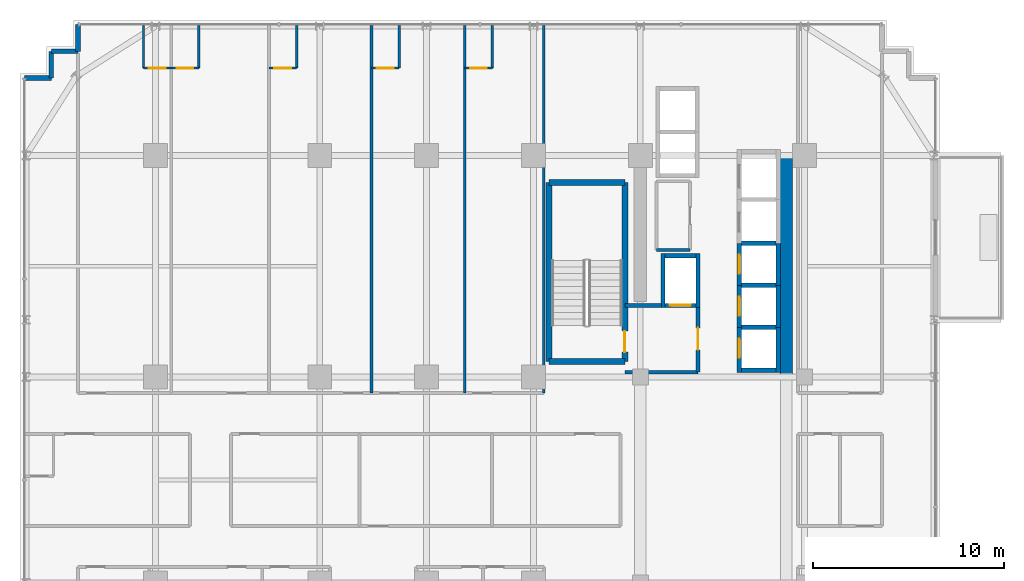
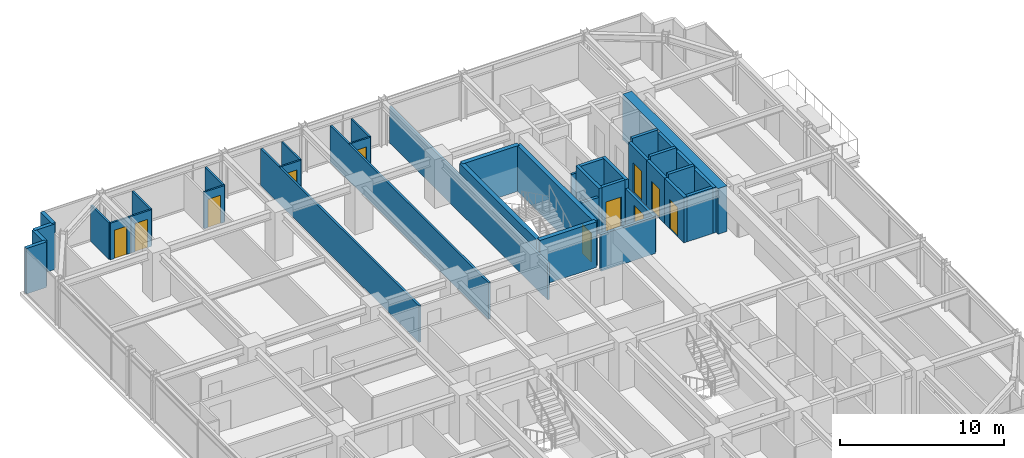
# One storey, part 28 of 32: 40 walls, 11 doors, 11 openings.
"""IFC4 building model written with IfcOpenShell, lengths in metres."""

from ifc_helpers import new_model, si_unit, direction, frame, frame_2d, origin, place, context, subcontext, project, spatial, rectangle, extrude, source, transform, mapped, material, layer, layer_set, type_object, element, fill, save


model = new_model("IFC4")

# Units and contexts
model_context = context("Model", 3, precision=1e-05, world=origin(), true_north=direction((0.0, 1.0)))
body_context = subcontext(model_context, "Body", "Model", "MODEL_VIEW")
ifc_project = project(units=[si_unit("LENGTHUNIT", "METRE"), si_unit("AREAUNIT", "SQUARE_METRE"), si_unit("VOLUMEUNIT", "CUBIC_METRE"), si_unit("PLANEANGLEUNIT", "RADIAN"), si_unit("MASSUNIT", "GRAM", prefix="KILO")], contexts=[model_context])

# Site, building, storey
site_placement = place(None, origin())
site = spatial("IfcSite", under=ifc_project, at=site_placement, CompositionType="ELEMENT")
building_placement = place(site_placement, origin())
building = spatial("IfcBuilding", under=site, at=building_placement, Name="Nahalor Promenade Grand Hotel", CompositionType="ELEMENT")
storey_placement = place(building_placement, frame((0.0, 0.0, 102.89990234375)))
storey = spatial("IfcBuildingStorey", under=building, at=storey_placement, Name="L25", CompositionType="ELEMENT", Elevation=102.89990234375)

# Walls
ifc_material_1 = material(Name="Concrete B-60 (C50/60)", Category="concrete")
ifc_layer_1 = layer(ifc_material_1, 0.64990234375)
ifc_layer_set_1 = layer_set([ifc_layer_1], Name="Concrete B-60 (C50/60)")
wall_type_1 = type_object("IfcWallType", Name="Wall-CoreShear-650", PredefinedType="SHEAR", material=ifc_layer_set_1)
shared_shape_1 = source(origin(), body_context, "Body", "SweptSolid", [
    extrude(rectangle(XDim=11.60009765625, YDim=0.64990234375, at=frame_2d((5.800048828125, 0.0))), origin(), (0.0, 0.0, 1.0), 3.380126953125),
])
wall_1_placement = place(storey_placement, frame((16.050048828125, 5.39990234375, 0.0), z_axis=(0.0, 0.0, 1.0), x_axis=(0.0, 1.0, 0.0)))
element("IfcWall", 1, at=wall_1_placement, inside=storey, type_object=wall_type_1, Name="CWALL-L25-NE", PredefinedType="SHEAR", context=body_context, shape_type="MappedRepresentation", body=[
    mapped(shared_shape_1, transform((0.0, 0.0, 0.0), scale=1.0)),
])
ifc_material_2 = material(Name="Concrete B-50 (C40/50)", Category="concrete")
ifc_layer_2 = layer(ifc_material_2, 0.300048828125)
ifc_layer_set_2 = layer_set([ifc_layer_2], Name="Concrete B-50 (C40/50)")
wall_type_2 = type_object("IfcWallType", Name="Wall-ShaftShear-300", PredefinedType="SHEAR", material=ifc_layer_set_2)
shared_shape_2 = source(origin(), body_context, "Body", "SweptSolid", [
    extrude(rectangle(XDim=3.97998046875, YDim=0.300048828125, at=frame_2d((1.989990234375, 0.0))), origin(), (0.0, 0.0, 1.0), 3.380126953125),
])
for number, where, z_axis, x_axis, name in (
    (2, (3.610107421875, 6.2099609375, 0.0), (0.0, 0.0, 1.0), (1.0, 0.0, 0.0), "L25 Exit Stair ST1 Shaft Wall S"),
    (3, (3.610107421875, 15.590087890625, 0.0), (0.0, 0.0, 1.0), (1.0, 0.0, 0.0), "L25 Exit Stair ST1 Shaft Wall N"),
):
    element("IfcWall", number, at=place(storey_placement, frame(where, z_axis=z_axis, x_axis=x_axis)), inside=storey, type_object=wall_type_2, Name=name, PredefinedType="SHEAR", context=body_context, shape_type="MappedRepresentation", body=[
        mapped(shared_shape_2, transform((0.0, 0.0, 0.0), scale=1.0)),
    ])
shared_shape_3 = source(origin(), body_context, "Body", "SweptSolid", [
    extrude(rectangle(XDim=9.380126953125, YDim=0.300048828125, at=frame_2d((4.68994140625, 0.0))), origin(), (0.0, 0.0, 1.0), 3.380126953125),
])
wall_2_placement = place(storey_placement, frame((3.610107421875, 6.2099609375, 0.0), z_axis=(0.0, 0.0, 1.0), x_axis=(0.0, 1.0, 0.0)))
element("IfcWall", 4, at=wall_2_placement, inside=storey, type_object=wall_type_2, Name="L25 Exit Stair ST1 Shaft Wall W", PredefinedType="SHEAR", context=body_context, shape_type="MappedRepresentation", body=[
    mapped(shared_shape_3, transform((0.0, 0.0, 0.0), scale=1.0)),
])

# Wall, opening, door
wall_3_placement = place(storey_placement, frame((7.590087890625, 6.2099609375, 0.0), z_axis=(0.0, 0.0, 1.0), x_axis=(0.0, 1.0, 0.0)))
wall_3 = element("IfcWall", 5, at=wall_3_placement, inside=storey, type_object=wall_type_2, Name="L25 Exit Stair ST1 Shaft Wall E", PredefinedType="SHEAR", context=body_context, shape_type="MappedRepresentation", body=[
    mapped(shared_shape_3, transform((0.0, 0.0, 0.0), scale=1.0)),
])
opening_1_placement = place(wall_3_placement, frame((0.489990234375, 0.0, 0.0)))
opening_1 = element("IfcOpeningElement", 6, at=opening_1_placement, cuts=wall_3, Name="Opening D-ST1", PredefinedType="OPENING", context=body_context, shape_type="SweptSolid", body=[
    extrude(rectangle(XDim=1.10009765625, YDim=2.14990234375, at=frame_2d((0.550048828125, 1.074951171875))), frame((0.0, 0.159912109375, 0.0), z_axis=(0.0, -1.0, 0.0), x_axis=(1.0, 0.0, 0.0)), (0.0, 0.0, 1.0), 0.320068359375),
])
ifc_material_3 = material(Name="Steel S355JR", Category="steel")
door_type_1 = type_object("IfcDoorType", Name="Door-StairFire-1100", OperationType="NOTDEFINED", PredefinedType="DOOR", material=ifc_material_3)
shared_shape_4 = source(origin(), body_context, "Body", "SweptSolid", [
    extrude(rectangle(XDim=1.10009765625, YDim=2.14990234375, at=frame_2d((0.550048828125, 1.074951171875))), frame((0.0, 0.02490234375, 0.0), z_axis=(0.0, -1.0, 0.0), x_axis=(1.0, 0.0, 0.0)), (0.0, 0.0, 1.0), 0.050048828125),
])
door_1_placement = place(opening_1_placement, origin())
door_1 = element("IfcDoor", 7, at=door_1_placement, inside=storey, type_object=door_type_1, Name="DR-STAIR-ST1-L25", OperationType="SINGLE_SWING_RIGHT", OverallHeight=2.14990234375, OverallWidth=1.10009765625, PredefinedType="DOOR", context=body_context, shape_type="MappedRepresentation", body=[
    mapped(shared_shape_4, transform((0.0, 0.0, 0.0), scale=1.0)),
])
fill(opening_1, door_1)

# Walls
ifc_layer_3 = layer(ifc_material_2, 0.219970703125)
ifc_layer_set_3 = layer_set([ifc_layer_3], Name="Concrete B-50 (C40/50)")
wall_type_3 = type_object("IfcWallType", Name="Wall-LiftShaft-220", PredefinedType="SHEAR", material=ifc_layer_set_3)
shared_shape_5 = source(origin(), body_context, "Body", "SweptSolid", [
    extrude(rectangle(XDim=1.820068359375, YDim=0.219970703125, at=frame_2d((0.91015625, 0.0))), origin(), (0.0, 0.0, 1.0), 3.650146484375),
])
for number, where, z_axis, x_axis, name in (
    (8, (13.68994140625, 8.0, 0.0), (0.0, 0.0, 1.0), (1.0, 0.0, 0.0), "L25 Lift PL1 Hoistway Wall N"),
    (9, (13.68994140625, 10.199951171875, 0.0), (0.0, 0.0, 1.0), (1.0, 0.0, 0.0), "L25 Lift PL2 Hoistway Wall N"),
    (10, (13.68994140625, 12.39990234375, 0.0), (0.0, 0.0, 1.0), (1.0, 0.0, 0.0), "L25 Lift PL3 Hoistway Wall N"),
):
    element("IfcWall", number, at=place(storey_placement, frame(where, z_axis=z_axis, x_axis=x_axis)), inside=storey, type_object=wall_type_3, Name=name, PredefinedType="SHEAR", context=body_context, shape_type="MappedRepresentation", body=[
        mapped(shared_shape_5, transform((0.0, 0.0, 0.0), scale=1.0)),
    ])

# Wall, opening, door
shared_shape_6 = source(origin(), body_context, "Body", "SweptSolid", [
    extrude(rectangle(XDim=2.360107421875, YDim=0.219970703125, at=frame_2d((1.18017578125, 0.0))), origin(), (0.0, 0.0, 1.0), 3.380126953125),
])
wall_4_placement = place(storey_placement, frame((13.580078125, 5.639892578125, 0.0), z_axis=(0.0, 0.0, 1.0), x_axis=(0.0, 1.0, 0.0)))
wall_4 = element("IfcWall", 11, at=wall_4_placement, inside=storey, type_object=wall_type_3, Name="L25 Lift PL1 Hoistway Wall W", PredefinedType="SHEAR", context=body_context, shape_type="MappedRepresentation", body=[
    mapped(shared_shape_6, transform((0.0, 0.0, 0.0), scale=1.0)),
])
opening_2_placement = place(wall_4_placement, frame((0.760009765625, 0.0, 0.0)))
opening_2 = element("IfcOpeningElement", 12, at=opening_2_placement, cuts=wall_4, Name="Opening LD-01", PredefinedType="OPENING", context=body_context, shape_type="SweptSolid", body=[
    extrude(rectangle(XDim=1.0, YDim=2.199951171875, at=frame_2d((0.5, 1.10009765625))), frame((0.0, 0.119873046875, 0.0), z_axis=(0.0, -1.0, 0.0), x_axis=(1.0, 0.0, 0.0)), (0.0, 0.0, 1.0), 0.239990234375),
])
door_type_2 = type_object("IfcDoorType", Name="Door-LiftLanding-1000", OperationType="DOUBLE_DOOR_SLIDING", PredefinedType="DOOR", material=ifc_material_3)
shared_shape_7 = source(origin(), body_context, "Body", "SweptSolid", [
    extrude(rectangle(XDim=1.0, YDim=2.199951171875, at=frame_2d((0.5, 1.10009765625))), frame((0.0, 0.02490234375, 0.0), z_axis=(0.0, -1.0, 0.0), x_axis=(1.0, 0.0, 0.0)), (0.0, 0.0, 1.0), 0.050048828125),
])
door_2_placement = place(opening_2_placement, origin())
door_2 = element("IfcDoor", 13, at=door_2_placement, inside=storey, type_object=door_type_2, Name="DR-LIFT-PL1-L25", OperationType="DOUBLE_DOOR_SLIDING", OverallHeight=2.199951171875, OverallWidth=1.0, PredefinedType="DOOR", context=body_context, shape_type="MappedRepresentation", body=[
    mapped(shared_shape_7, transform((0.0, 0.0, 0.0), scale=1.0)),
])
fill(opening_2, door_2)

# Walls
wall_5_placement = place(storey_placement, frame((15.6201171875, 5.639892578125, 0.0), z_axis=(0.0, 0.0, 1.0), x_axis=(0.0, 1.0, 0.0)))
element("IfcWall", 14, at=wall_5_placement, inside=storey, type_object=wall_type_3, Name="L25 Lift PL1 Hoistway Wall E", PredefinedType="SHEAR", context=body_context, shape_type="MappedRepresentation", body=[
    mapped(shared_shape_6, transform((0.0, 0.0, 0.0), scale=1.0)),
])
shared_shape_8 = source(origin(), body_context, "Body", "SweptSolid", [
    extrude(rectangle(XDim=1.820068359375, YDim=0.219970703125, at=frame_2d((0.91015625, 0.0))), origin(), (0.0, 0.0, 1.0), 3.380126953125),
])
wall_6_placement = place(storey_placement, frame((13.68994140625, 5.75, 0.0), z_axis=(0.0, 0.0, 1.0), x_axis=(1.0, 0.0, 0.0)))
element("IfcWall", 15, at=wall_6_placement, inside=storey, type_object=wall_type_3, Name="L25 Lift PL1 Hoistway Wall S", PredefinedType="SHEAR", context=body_context, shape_type="MappedRepresentation", body=[
    mapped(shared_shape_8, transform((0.0, 0.0, 0.0), scale=1.0)),
])

# Wall, opening, door
shared_shape_9 = source(origin(), body_context, "Body", "SweptSolid", [
    extrude(rectangle(XDim=2.199951171875, YDim=0.219970703125, at=frame_2d((1.10009765625, 0.0))), origin(), (0.0, 0.0, 1.0), 3.380126953125),
])
wall_7_placement = place(storey_placement, frame((13.580078125, 8.0, 0.0), z_axis=(0.0, 0.0, 1.0), x_axis=(0.0, 1.0, 0.0)))
wall_7 = element("IfcWall", 16, at=wall_7_placement, inside=storey, type_object=wall_type_3, Name="L25 Lift PL2 Hoistway Wall W", PredefinedType="SHEAR", context=body_context, shape_type="MappedRepresentation", body=[
    mapped(shared_shape_9, transform((0.0, 0.0, 0.0), scale=1.0)),
])
opening_3_placement = place(wall_7_placement, frame((0.60009765625, 0.0, 0.0)))
opening_3 = element("IfcOpeningElement", 17, at=opening_3_placement, cuts=wall_7, Name="Opening LD-01", PredefinedType="OPENING", context=body_context, shape_type="SweptSolid", body=[
    extrude(rectangle(XDim=1.0, YDim=2.199951171875, at=frame_2d((0.5, 1.10009765625))), frame((0.0, 0.119873046875, 0.0), z_axis=(0.0, -1.0, 0.0), x_axis=(1.0, 0.0, 0.0)), (0.0, 0.0, 1.0), 0.239990234375),
])
door_3_placement = place(opening_3_placement, origin())
door_3 = element("IfcDoor", 18, at=door_3_placement, inside=storey, type_object=door_type_2, Name="DR-LIFT-PL2-L25", OperationType="DOUBLE_DOOR_SLIDING", OverallHeight=2.199951171875, OverallWidth=1.0, PredefinedType="DOOR", context=body_context, shape_type="MappedRepresentation", body=[
    mapped(shared_shape_7, transform((0.0, 0.0, 0.0), scale=1.0)),
])
fill(opening_3, door_3)

# Wall
wall_8_placement = place(storey_placement, frame((15.6201171875, 8.0, 0.0), z_axis=(0.0, 0.0, 1.0), x_axis=(0.0, 1.0, 0.0)))
element("IfcWall", 19, at=wall_8_placement, inside=storey, type_object=wall_type_3, Name="L25 Lift PL2 Hoistway Wall E", PredefinedType="SHEAR", context=body_context, shape_type="MappedRepresentation", body=[
    mapped(shared_shape_9, transform((0.0, 0.0, 0.0), scale=1.0)),
])

# Wall, opening, door
wall_9_placement = place(storey_placement, frame((13.580078125, 10.199951171875, 0.0), z_axis=(0.0, 0.0, 1.0), x_axis=(0.0, 1.0, 0.0)))
wall_9 = element("IfcWall", 20, at=wall_9_placement, inside=storey, type_object=wall_type_3, Name="L25 Lift PL3 Hoistway Wall W", PredefinedType="SHEAR", context=body_context, shape_type="MappedRepresentation", body=[
    mapped(shared_shape_9, transform((0.0, 0.0, 0.0), scale=1.0)),
])
opening_4_placement = place(wall_9_placement, frame((0.60009765625, 0.0, 0.0)))
opening_4 = element("IfcOpeningElement", 21, at=opening_4_placement, cuts=wall_9, Name="Opening LD-01", PredefinedType="OPENING", context=body_context, shape_type="SweptSolid", body=[
    extrude(rectangle(XDim=1.0, YDim=2.199951171875, at=frame_2d((0.5, 1.10009765625))), frame((0.0, 0.119873046875, 0.0), z_axis=(0.0, -1.0, 0.0), x_axis=(1.0, 0.0, 0.0)), (0.0, 0.0, 1.0), 0.239990234375),
])
door_4_placement = place(opening_4_placement, origin())
door_4 = element("IfcDoor", 22, at=door_4_placement, inside=storey, type_object=door_type_2, Name="DR-LIFT-PL3-L25", OperationType="DOUBLE_DOOR_SLIDING", OverallHeight=2.199951171875, OverallWidth=1.0, PredefinedType="DOOR", context=body_context, shape_type="MappedRepresentation", body=[
    mapped(shared_shape_7, transform((0.0, 0.0, 0.0), scale=1.0)),
])
fill(opening_4, door_4)

# Walls
wall_10_placement = place(storey_placement, frame((15.6201171875, 10.199951171875, 0.0), z_axis=(0.0, 0.0, 1.0), x_axis=(0.0, 1.0, 0.0)))
element("IfcWall", 23, at=wall_10_placement, inside=storey, type_object=wall_type_3, Name="L25 Lift PL3 Hoistway Wall E", PredefinedType="SHEAR", context=body_context, shape_type="MappedRepresentation", body=[
    mapped(shared_shape_9, transform((0.0, 0.0, 0.0), scale=1.0)),
])
shared_shape_10 = source(origin(), body_context, "Body", "SweptSolid", [
    extrude(rectangle(XDim=2.820068359375, YDim=0.219970703125, at=frame_2d((1.41015625, 0.0))), origin(), (0.0, 0.0, 1.0), 3.380126953125),
])
for number, where, z_axis, x_axis, name in (
    (24, (9.580078125, 9.0400390625, 0.0), (0.0, 0.0, 1.0), (0.0, 1.0, 0.0), "L25 Lift FL1 Hoistway Wall W"),
    (25, (11.419921875, 9.0400390625, 0.0), (0.0, 0.0, 1.0), (0.0, 1.0, 0.0), "L25 Lift FL1 Hoistway Wall E"),
):
    element("IfcWall", number, at=place(storey_placement, frame(where, z_axis=z_axis, x_axis=x_axis)), inside=storey, type_object=wall_type_3, Name=name, PredefinedType="SHEAR", context=body_context, shape_type="MappedRepresentation", body=[
        mapped(shared_shape_10, transform((0.0, 0.0, 0.0), scale=1.0)),
    ])

# Wall, opening, door
shared_shape_11 = source(origin(), body_context, "Body", "SweptSolid", [
    extrude(rectangle(XDim=1.6201171875, YDim=0.219970703125, at=frame_2d((0.81005859375, 0.0))), origin(), (0.0, 0.0, 1.0), 3.380126953125),
])
wall_11_placement = place(storey_placement, frame((9.68994140625, 9.14990234375, 0.0), z_axis=(0.0, 0.0, 1.0), x_axis=(1.0, 0.0, 0.0)))
wall_11 = element("IfcWall", 26, at=wall_11_placement, inside=storey, type_object=wall_type_3, Name="L25 Lift FL1 Hoistway Wall S", PredefinedType="SHEAR", context=body_context, shape_type="MappedRepresentation", body=[
    mapped(shared_shape_11, transform((0.0, 0.0, 0.0), scale=1.0)),
])
opening_5_placement = place(wall_11_placement, frame((0.260009765625, 0.0, 0.0)))
opening_5 = element("IfcOpeningElement", 27, at=opening_5_placement, cuts=wall_11, Name="Opening LD-02", PredefinedType="OPENING", context=body_context, shape_type="SweptSolid", body=[
    extrude(rectangle(XDim=1.10009765625, YDim=2.199951171875, at=frame_2d((0.550048828125, 1.10009765625))), frame((0.0, 0.119873046875, 0.0), z_axis=(0.0, -1.0, 0.0), x_axis=(1.0, 0.0, 0.0)), (0.0, 0.0, 1.0), 0.239990234375),
])
door_type_3 = type_object("IfcDoorType", Name="Door-LiftFF-1100", OperationType="DOUBLE_DOOR_SLIDING", PredefinedType="DOOR", material=ifc_material_3)
shared_shape_12 = source(origin(), body_context, "Body", "SweptSolid", [
    extrude(rectangle(XDim=1.10009765625, YDim=2.199951171875, at=frame_2d((0.550048828125, 1.10009765625))), frame((0.0, 0.02490234375, 0.0), z_axis=(0.0, -1.0, 0.0), x_axis=(1.0, 0.0, 0.0)), (0.0, 0.0, 1.0), 0.050048828125),
])
door_5_placement = place(opening_5_placement, frame((1.10009765625, 0.0, 0.0), z_axis=(0.0, 0.0, 1.0), x_axis=(-1.0, 0.0, 0.0)))
door_5 = element("IfcDoor", 28, at=door_5_placement, inside=storey, type_object=door_type_3, Name="DR-LIFT-FL1-L25", OperationType="DOUBLE_DOOR_SLIDING", OverallHeight=2.199951171875, OverallWidth=1.10009765625, PredefinedType="DOOR", context=body_context, shape_type="MappedRepresentation", body=[
    mapped(shared_shape_12, transform((0.0, 0.0, 0.0), scale=1.0)),
])
fill(opening_5, door_5)

# Walls
wall_12_placement = place(storey_placement, frame((9.68994140625, 11.75, 0.0), z_axis=(0.0, 0.0, 1.0), x_axis=(1.0, 0.0, 0.0)))
element("IfcWall", 29, at=wall_12_placement, inside=storey, type_object=wall_type_3, Name="L25 Lift FL1 Hoistway Wall N", PredefinedType="SHEAR", context=body_context, shape_type="MappedRepresentation", body=[
    mapped(shared_shape_11, transform((0.0, 0.0, 0.0), scale=1.0)),
])
ifc_material_4 = material(Name="Concrete B-40 (C32/40)", Category="concrete")
ifc_layer_4 = layer(ifc_material_4, 0.25)
ifc_layer_set_4 = layer_set([ifc_layer_4], Name="Concrete B-40 (C32/40)")
wall_type_4 = type_object("IfcWallType", Name="Wall-BronzePier-250", PredefinedType="STANDARD", material=ifc_layer_set_4)
shared_shape_13 = source(origin(), body_context, "Body", "SweptSolid", [
    extrude(rectangle(XDim=1.400146484375, YDim=0.25, at=frame_2d((0.7001953125, 0.0))), origin(), (0.0, 0.0, 1.0), 3.380126953125),
])
for number, where, z_axis, x_axis, name in (
    (30, (-21.06005859375, 22.4599609375, 0.0), (0.0, 0.0, 1.0), (0.0, 1.0, 0.0), "W-L25-SR-09"),
    (31, (-23.860107421875, 21.06005859375, 0.0), (0.0, 0.0, 1.0), (1.0, 0.0, 0.0), "W-L25-SR-12"),
):
    element("IfcWall", number, at=place(storey_placement, frame(where, z_axis=z_axis, x_axis=x_axis)), inside=storey, type_object=wall_type_4, Name=name, PredefinedType="STANDARD", context=body_context, shape_type="MappedRepresentation", body=[
        mapped(shared_shape_13, transform((0.0, 0.0, 0.0), scale=1.0)),
    ])
shared_shape_14 = source(origin(), body_context, "Body", "SweptSolid", [
    extrude(rectangle(XDim=1.39990234375, YDim=0.25, at=frame_2d((0.699951171875, 0.0))), origin(), (0.0, 0.0, 1.0), 3.380126953125),
])
for number, where, z_axis, x_axis, name in (
    (32, (-22.4599609375, 22.4599609375, 0.0), (0.0, 0.0, 1.0), (1.0, 0.0, 0.0), "W-L25-SR-10"),
    (33, (-22.4599609375, 21.06005859375, 0.0), (0.0, 0.0, 1.0), (0.0, 1.0, 0.0), "W-L25-SR-11"),
):
    element("IfcWall", number, at=place(storey_placement, frame(where, z_axis=z_axis, x_axis=x_axis)), inside=storey, type_object=wall_type_4, Name=name, PredefinedType="STANDARD", context=body_context, shape_type="MappedRepresentation", body=[
        mapped(shared_shape_14, transform((0.0, 0.0, 0.0), scale=1.0)),
    ])
ifc_layer_5 = layer(ifc_material_4, 0.199951171875)
ifc_layer_set_5 = layer_set([ifc_layer_5], Name="Concrete B-40 (C32/40)")
wall_type_5 = type_object("IfcWallType", Name="Wall-PartFire-200", PredefinedType="PARTITIONING", material=ifc_layer_set_5)
shared_shape_15 = source(origin(), body_context, "Body", "SweptSolid", [
    extrude(rectangle(XDim=3.81982421875, YDim=0.199951171875, at=frame_2d((1.909912109375, 0.0))), origin(), (0.0, 0.0, 1.0), 2.72021484375),
])
wall_13_placement = place(storey_placement, frame((7.60009765625, 5.64990234375, 0.0), z_axis=(0.0, 0.0, 1.0), x_axis=(1.0, 0.0, 0.0)))
element("IfcWall", 34, at=wall_13_placement, inside=storey, type_object=wall_type_5, Name="W-L25-FF1-S", PredefinedType="PARTITIONING", context=body_context, shape_type="MappedRepresentation", body=[
    mapped(shared_shape_15, transform((0.0, 0.0, 0.0), scale=1.0)),
])
shared_shape_16 = source(origin(), body_context, "Body", "SweptSolid", [
    extrude(rectangle(XDim=1.89990234375, YDim=0.199951171875, at=frame_2d((0.949951171875, 0.0))), origin(), (0.0, 0.0, 1.0), 2.72021484375),
])
wall_14_placement = place(storey_placement, frame((7.60009765625, 9.14990234375, 0.0), z_axis=(0.0, 0.0, 1.0), x_axis=(1.0, 0.0, 0.0)))
element("IfcWall", 35, at=wall_14_placement, inside=storey, type_object=wall_type_5, Name="W-L25-FF1-N", PredefinedType="PARTITIONING", context=body_context, shape_type="MappedRepresentation", body=[
    mapped(shared_shape_16, transform((0.0, 0.0, 0.0), scale=1.0)),
])

# Wall, opening, door
shared_shape_17 = source(origin(), body_context, "Body", "SweptSolid", [
    extrude(rectangle(XDim=3.5, YDim=0.199951171875, at=frame_2d((1.75, 0.0))), origin(), (0.0, 0.0, 1.0), 2.72021484375),
])
wall_15_placement = place(storey_placement, frame((11.419921875, 5.64990234375, 0.0), z_axis=(0.0, 0.0, 1.0), x_axis=(0.0, 1.0, 0.0)))
wall_15 = element("IfcWall", 36, at=wall_15_placement, inside=storey, type_object=wall_type_5, Name="W-L25-FF1-E", PredefinedType="PARTITIONING", context=body_context, shape_type="MappedRepresentation", body=[
    mapped(shared_shape_17, transform((0.0, 0.0, 0.0), scale=1.0)),
])
opening_6_placement = place(wall_15_placement, frame((1.175048828125, 0.0, 0.0)))
opening_6 = element("IfcOpeningElement", 37, at=opening_6_placement, cuts=wall_15, Name="Opening D-FF1", PredefinedType="OPENING", context=body_context, shape_type="SweptSolid", body=[
    extrude(rectangle(XDim=1.14990234375, YDim=2.14990234375, at=frame_2d((0.574951171875, 1.074951171875))), frame((0.0, 0.10986328125, 0.0), z_axis=(0.0, -1.0, 0.0), x_axis=(1.0, 0.0, 0.0)), (0.0, 0.0, 1.0), 0.219970703125),
])
door_type_4 = type_object("IfcDoorType", Name="Door-FFLobby-1150", OperationType="NOTDEFINED", PredefinedType="DOOR", material=ifc_material_3)
shared_shape_18 = source(origin(), body_context, "Body", "SweptSolid", [
    extrude(rectangle(XDim=1.14990234375, YDim=2.14990234375, at=frame_2d((0.574951171875, 1.074951171875))), frame((0.0, 0.02490234375, 0.0), z_axis=(0.0, -1.0, 0.0), x_axis=(1.0, 0.0, 0.0)), (0.0, 0.0, 1.0), 0.050048828125),
])
door_6_placement = place(opening_6_placement, frame((1.14990234375, 0.0, 0.0), z_axis=(0.0, 0.0, 1.0), x_axis=(-1.0, 0.0, 0.0)))
door_6 = element("IfcDoor", 38, at=door_6_placement, inside=storey, type_object=door_type_4, Name="DR-L25-FFL1", OperationType="SINGLE_SWING_RIGHT", OverallHeight=2.14990234375, OverallWidth=1.14990234375, PredefinedType="DOOR", context=body_context, shape_type="MappedRepresentation", body=[
    mapped(shared_shape_18, transform((0.0, 0.0, 0.0), scale=1.0)),
])
fill(opening_6, door_6)

# Walls
ifc_material_5 = material(Name="Acoustic Mineral Gypsum", Category="gypsum")
ifc_layer_6 = layer(ifc_material_5, 0.14990234375)
ifc_layer_set_6 = layer_set([ifc_layer_6], Name="Acoustic Mineral Gypsum")
wall_type_6 = type_object("IfcWallType", Name="Wall-PartService-150", PredefinedType="PARTITIONING", material=ifc_layer_set_6)
shared_shape_19 = source(origin(), body_context, "Body", "SweptSolid", [
    extrude(rectangle(XDim=1.75, YDim=0.14990234375, at=frame_2d((0.875, 0.0))), origin(), (0.0, 0.0, 1.0), 2.72021484375),
])
wall_16_placement = place(storey_placement, frame((9.25, 12.050048828125, 0.0), z_axis=(0.0, 0.0, 1.0), x_axis=(1.0, 0.0, 0.0)))
element("IfcWall", 39, at=wall_16_placement, inside=storey, type_object=wall_type_6, Name="W-L25-CK1A-S", PredefinedType="PARTITIONING", context=body_context, shape_type="MappedRepresentation", body=[
    mapped(shared_shape_19, transform((0.0, 0.0, 0.0), scale=1.0)),
])
ifc_layer_7 = layer(ifc_material_5, 0.139892578125)
ifc_layer_set_7 = layer_set([ifc_layer_7], Name="Acoustic Mineral Gypsum")
wall_type_7 = type_object("IfcWallType", Name="Wall-PartSuite-140", PredefinedType="PARTITIONING", material=ifc_layer_set_7)
shared_shape_20 = source(origin(), body_context, "Body", "SweptSolid", [
    extrude(rectangle(XDim=19.25, YDim=0.139892578125, at=frame_2d((9.625, 0.0))), origin(), (0.0, 0.0, 1.0), 2.72021484375),
])
for number, where, z_axis, x_axis, name in (
    (40, (3.340087890625, 4.550048828125, 0.0), (0.0, 0.0, 1.0), (0.0, 1.0, 0.0), "W-L25-NW-ENDE"),
    (41, (-5.68798828125, 4.550048828125, 0.0), (0.0, 0.0, 1.0), (0.0, 1.0, 0.0), "W-L25-NP-3"),
    (42, (-0.80810546875, 4.550048828125, 0.0), (0.0, 0.0, 1.0), (0.0, 1.0, 0.0), "W-L25-NP-4"),
):
    element("IfcWall", number, at=place(storey_placement, frame(where, z_axis=z_axis, x_axis=x_axis)), inside=storey, type_object=wall_type_7, Name=name, PredefinedType="PARTITIONING", context=body_context, shape_type="MappedRepresentation", body=[
        mapped(shared_shape_20, transform((0.0, 0.0, 0.0), scale=1.0)),
    ])

# Wall, opening, door
ifc_layer_8 = layer(ifc_material_5, 0.1201171875)
ifc_layer_set_8 = layer_set([ifc_layer_8], Name="Acoustic Mineral Gypsum")
wall_type_8 = type_object("IfcWallType", Name="Wall-PartBath-120", PredefinedType="PARTITIONING", material=ifc_layer_set_8)
shared_shape_21 = source(origin(), body_context, "Body", "SweptSolid", [
    extrude(rectangle(XDim=1.449951171875, YDim=0.1201171875, at=frame_2d((0.72509765625, 0.0))), origin(), (0.0, 0.0, 1.0), 2.72021484375),
])
wall_17_placement = place(storey_placement, frame((-17.6298828125, 21.580078125, 0.0), z_axis=(0.0, 0.0, 1.0), x_axis=(1.0, 0.0, 0.0)))
wall_17 = element("IfcWall", 43, at=wall_17_placement, inside=storey, type_object=wall_type_8, Name="W-L25-N1-BH", PredefinedType="PARTITIONING", context=body_context, shape_type="MappedRepresentation", body=[
    mapped(shared_shape_21, transform((0.0, 0.0, 0.0), scale=1.0)),
])
opening_7_placement = place(wall_17_placement, frame((0.284912109375, 0.0, 0.0)))
opening_7 = element("IfcOpeningElement", 44, at=opening_7_placement, cuts=wall_17, Name="Opening D-03", PredefinedType="OPENING", context=body_context, shape_type="SweptSolid", body=[
    extrude(rectangle(XDim=0.8798828125, YDim=2.10009765625, at=frame_2d((0.43994140625, 1.050048828125))), frame((0.0, 0.070068359375, 0.0), z_axis=(0.0, -1.0, 0.0), x_axis=(1.0, 0.0, 0.0)), (0.0, 0.0, 1.0), 0.14013671875),
])
ifc_material_6 = material(Name="Fire-Rated Timber Composite", Category="wood")
door_type_5 = type_object("IfcDoorType", Name="Door-BathSwing-880", OperationType="NOTDEFINED", PredefinedType="DOOR", material=ifc_material_6)
shared_shape_22 = source(origin(), body_context, "Body", "SweptSolid", [
    extrude(rectangle(XDim=0.8798828125, YDim=2.10009765625, at=frame_2d((0.43994140625, 1.050048828125))), frame((0.0, 0.02490234375, 0.0), z_axis=(0.0, -1.0, 0.0), x_axis=(1.0, 0.0, 0.0)), (0.0, 0.0, 1.0), 0.050048828125),
])
door_7_placement = place(opening_7_placement, origin())
door_7 = element("IfcDoor", 45, at=door_7_placement, inside=storey, type_object=door_type_5, Name="DR-L25-N1-BATH", OperationType="SINGLE_SWING_LEFT", OverallHeight=2.10009765625, OverallWidth=0.8798828125, PredefinedType="DOOR", context=body_context, shape_type="MappedRepresentation", body=[
    mapped(shared_shape_22, transform((0.0, 0.0, 0.0), scale=1.0)),
])
fill(opening_7, door_7)

wall_18_placement = place(storey_placement, frame((-16.179931640625, 21.580078125, 0.0), z_axis=(0.0, 0.0, 1.0), x_axis=(1.0, 0.0, 0.0)))
wall_18 = element("IfcWall", 46, at=wall_18_placement, inside=storey, type_object=wall_type_8, Name="W-L25-N2-BH", PredefinedType="PARTITIONING", context=body_context, shape_type="MappedRepresentation", body=[
    mapped(shared_shape_21, transform((0.0, 0.0, 0.0), scale=1.0)),
])
opening_8_placement = place(wall_18_placement, frame((0.284912109375, 0.0, 0.0)))
opening_8 = element("IfcOpeningElement", 47, at=opening_8_placement, cuts=wall_18, Name="Opening D-03", PredefinedType="OPENING", context=body_context, shape_type="SweptSolid", body=[
    extrude(rectangle(XDim=0.8798828125, YDim=2.10009765625, at=frame_2d((0.43994140625, 1.050048828125))), frame((0.0, 0.070068359375, 0.0), z_axis=(0.0, -1.0, 0.0), x_axis=(1.0, 0.0, 0.0)), (0.0, 0.0, 1.0), 0.14013671875),
])
door_8_placement = place(opening_8_placement, origin())
door_8 = element("IfcDoor", 48, at=door_8_placement, inside=storey, type_object=door_type_5, Name="DR-L25-N2-BATH", OperationType="SINGLE_SWING_LEFT", OverallHeight=2.10009765625, OverallWidth=0.8798828125, PredefinedType="DOOR", context=body_context, shape_type="MappedRepresentation", body=[
    mapped(shared_shape_22, transform((0.0, 0.0, 0.0), scale=1.0)),
])
fill(opening_8, door_8)

wall_19_placement = place(storey_placement, frame((-11.055908203125, 21.580078125, 0.0), z_axis=(0.0, 0.0, 1.0), x_axis=(1.0, 0.0, 0.0)))
wall_19 = element("IfcWall", 49, at=wall_19_placement, inside=storey, type_object=wall_type_8, Name="W-L25-N3-BH", PredefinedType="PARTITIONING", context=body_context, shape_type="MappedRepresentation", body=[
    mapped(shared_shape_21, transform((0.0, 0.0, 0.0), scale=1.0)),
])
opening_9_placement = place(wall_19_placement, frame((0.284912109375, 0.0, 0.0)))
opening_9 = element("IfcOpeningElement", 50, at=opening_9_placement, cuts=wall_19, Name="Opening D-03", PredefinedType="OPENING", context=body_context, shape_type="SweptSolid", body=[
    extrude(rectangle(XDim=0.8798828125, YDim=2.10009765625, at=frame_2d((0.43994140625, 1.050048828125))), frame((0.0, 0.070068359375, 0.0), z_axis=(0.0, -1.0, 0.0), x_axis=(1.0, 0.0, 0.0)), (0.0, 0.0, 1.0), 0.14013671875),
])
door_9_placement = place(opening_9_placement, origin())
door_9 = element("IfcDoor", 51, at=door_9_placement, inside=storey, type_object=door_type_5, Name="DR-L25-N3-BATH", OperationType="SINGLE_SWING_LEFT", OverallHeight=2.10009765625, OverallWidth=0.8798828125, PredefinedType="DOOR", context=body_context, shape_type="MappedRepresentation", body=[
    mapped(shared_shape_22, transform((0.0, 0.0, 0.0), scale=1.0)),
])
fill(opening_9, door_9)

wall_20_placement = place(storey_placement, frame((-5.68798828125, 21.580078125, 0.0), z_axis=(0.0, 0.0, 1.0), x_axis=(1.0, 0.0, 0.0)))
wall_20 = element("IfcWall", 52, at=wall_20_placement, inside=storey, type_object=wall_type_8, Name="W-L25-N4-BH", PredefinedType="PARTITIONING", context=body_context, shape_type="MappedRepresentation", body=[
    mapped(shared_shape_21, transform((0.0, 0.0, 0.0), scale=1.0)),
])
opening_10_placement = place(wall_20_placement, frame((0.284912109375, 0.0, 0.0)))
opening_10 = element("IfcOpeningElement", 53, at=opening_10_placement, cuts=wall_20, Name="Opening D-03", PredefinedType="OPENING", context=body_context, shape_type="SweptSolid", body=[
    extrude(rectangle(XDim=0.8798828125, YDim=2.10009765625, at=frame_2d((0.43994140625, 1.050048828125))), frame((0.0, 0.070068359375, 0.0), z_axis=(0.0, -1.0, 0.0), x_axis=(1.0, 0.0, 0.0)), (0.0, 0.0, 1.0), 0.14013671875),
])
door_10_placement = place(opening_10_placement, origin())
door_10 = element("IfcDoor", 54, at=door_10_placement, inside=storey, type_object=door_type_5, Name="DR-L25-N4-BATH", OperationType="SINGLE_SWING_LEFT", OverallHeight=2.10009765625, OverallWidth=0.8798828125, PredefinedType="DOOR", context=body_context, shape_type="MappedRepresentation", body=[
    mapped(shared_shape_22, transform((0.0, 0.0, 0.0), scale=1.0)),
])
fill(opening_10, door_10)

# Walls
shared_shape_23 = source(origin(), body_context, "Body", "SweptSolid", [
    extrude(rectangle(XDim=2.219970703125, YDim=0.1201171875, at=frame_2d((1.10986328125, 0.0))), origin(), (0.0, 0.0, 1.0), 2.72021484375),
])
for number, where, z_axis, x_axis, name in (
    (55, (-17.6298828125, 21.580078125, 0.0), (0.0, 0.0, 1.0), (0.0, 1.0, 0.0), "W-L25-N1-BV"),
    (56, (-14.72998046875, 21.580078125, 0.0), (0.0, 0.0, 1.0), (0.0, 1.0, 0.0), "W-L25-N2-BV"),
    (57, (-9.60595703125, 21.580078125, 0.0), (0.0, 0.0, 1.0), (0.0, 1.0, 0.0), "W-L25-N3-BV"),
    (58, (-4.238037109375, 21.580078125, 0.0), (0.0, 0.0, 1.0), (0.0, 1.0, 0.0), "W-L25-N4-BV"),
    (59, (0.64208984375, 21.580078125, 0.0), (0.0, 0.0, 1.0), (0.0, 1.0, 0.0), "W-L25-N5-BV"),
):
    element("IfcWall", number, at=place(storey_placement, frame(where, z_axis=z_axis, x_axis=x_axis)), inside=storey, type_object=wall_type_8, Name=name, PredefinedType="PARTITIONING", context=body_context, shape_type="MappedRepresentation", body=[
        mapped(shared_shape_23, transform((0.0, 0.0, 0.0), scale=1.0)),
    ])

# Wall, opening, door
shared_shape_24 = source(origin(), body_context, "Body", "SweptSolid", [
    extrude(rectangle(XDim=1.4501953125, YDim=0.1201171875, at=frame_2d((0.72509765625, 0.0))), origin(), (0.0, 0.0, 1.0), 2.72021484375),
])
wall_21_placement = place(storey_placement, frame((-0.80810546875, 21.580078125, 0.0), z_axis=(0.0, 0.0, 1.0), x_axis=(1.0, 0.0, 0.0)))
wall_21 = element("IfcWall", 60, at=wall_21_placement, inside=storey, type_object=wall_type_8, Name="W-L25-N5-BH", PredefinedType="PARTITIONING", context=body_context, shape_type="MappedRepresentation", body=[
    mapped(shared_shape_24, transform((0.0, 0.0, 0.0), scale=1.0)),
])
opening_11_placement = place(wall_21_placement, frame((0.284912109375, 0.0, 0.0)))
opening_11 = element("IfcOpeningElement", 61, at=opening_11_placement, cuts=wall_21, Name="Opening D-03", PredefinedType="OPENING", context=body_context, shape_type="SweptSolid", body=[
    extrude(rectangle(XDim=0.8798828125, YDim=2.10009765625, at=frame_2d((0.43994140625, 1.050048828125))), frame((0.0, 0.070068359375, 0.0), z_axis=(0.0, -1.0, 0.0), x_axis=(1.0, 0.0, 0.0)), (0.0, 0.0, 1.0), 0.14013671875),
])
door_11_placement = place(opening_11_placement, origin())
door_11 = element("IfcDoor", 62, at=door_11_placement, inside=storey, type_object=door_type_5, Name="DR-L25-N5-BATH", OperationType="SINGLE_SWING_LEFT", OverallHeight=2.10009765625, OverallWidth=0.8798828125, PredefinedType="DOOR", context=body_context, shape_type="MappedRepresentation", body=[
    mapped(shared_shape_22, transform((0.0, 0.0, 0.0), scale=1.0)),
])
fill(opening_11, door_11)

save(model, "model.ifc")
